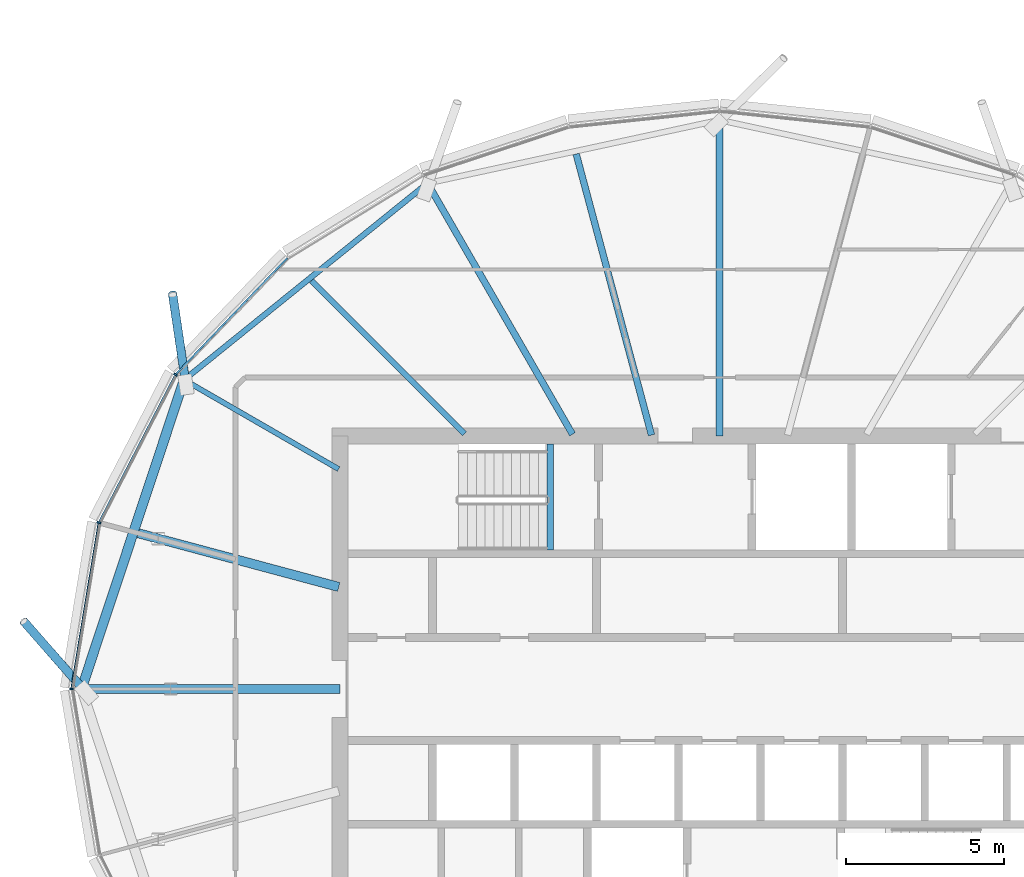
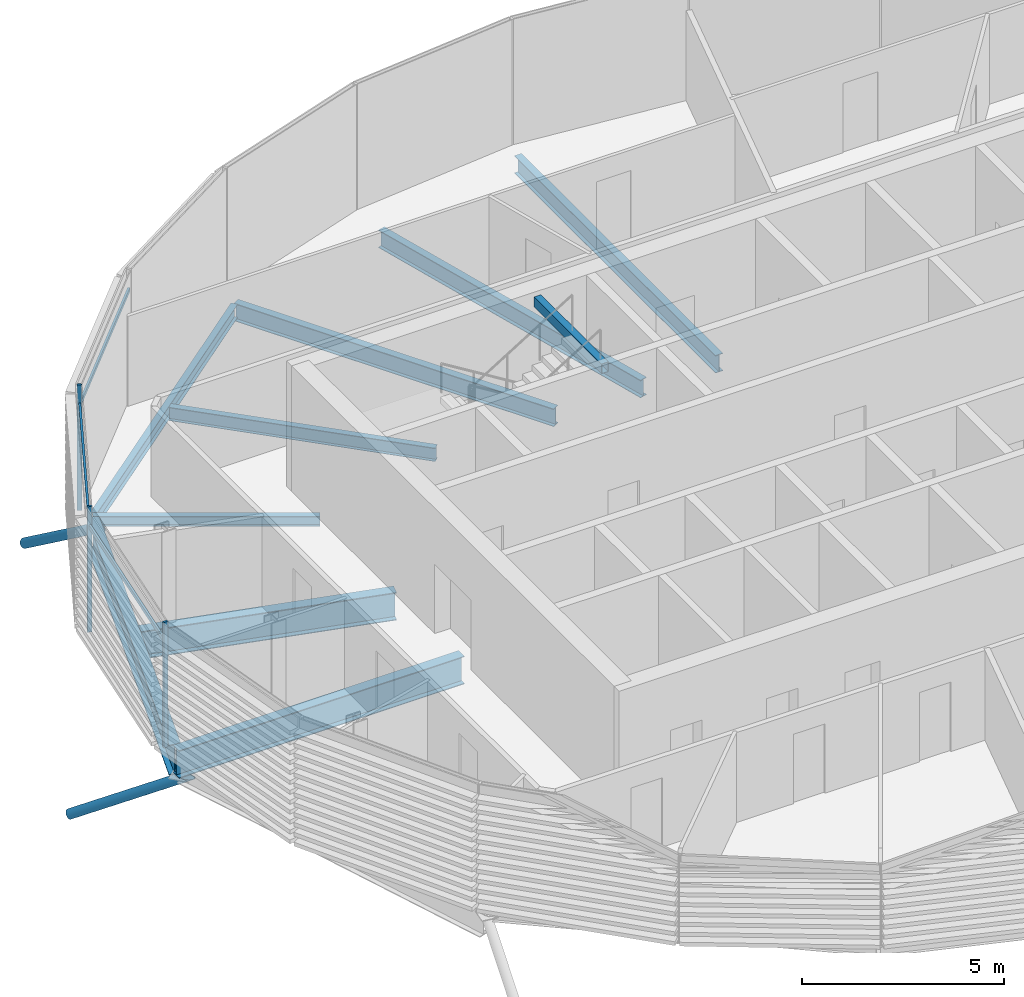
# One storey, part 5 of 33: 10 beams, 8 members, 1 element without a shape of its own.
"""IFC4 building model written with IfcOpenShell, lengths in metres."""

from ifc_helpers import new_model, si_unit, direction, frame, origin, origin_2d, place, context, subcontext, project, spatial, rectangle, hollow_rectangle, hollow_circle, i_section, extrude, clip, halfspace, material, material_profile, profile_set, type_object, element, aggregate, save


model = new_model("IFC4")

# Units and contexts
model_context = context("Model", 3, precision=1e-05, world=origin(), true_north=direction((0.0, 1.0)))
body_context = subcontext(model_context, "Body", "Model", "MODEL_VIEW")
ifc_project = project(units=[si_unit("LENGTHUNIT", "METRE"), si_unit("AREAUNIT", "SQUARE_METRE"), si_unit("VOLUMEUNIT", "CUBIC_METRE"), si_unit("PLANEANGLEUNIT", "RADIAN"), si_unit("MASSUNIT", "GRAM", prefix="KILO")], contexts=[model_context])

# Site, building, storey
site_placement = place(None, origin())
site = spatial("IfcSite", under=ifc_project, at=site_placement, CompositionType="ELEMENT")
building_placement = place(site_placement, origin())
building = spatial("IfcBuilding", under=site, at=building_placement, Name="Rimbun Link Towers", CompositionType="ELEMENT")
storey_placement = place(building_placement, frame((0.0, 0.0, 240.89990234375)))
storey = spatial("IfcBuildingStorey", under=building, at=storey_placement, Name="L59", CompositionType="ELEMENT", Elevation=240.89990234375)

# Curtain wall, members
ifc_material_1 = material(Name="Aluminium 6063-T6 and low-iron glass", Category="aluminium")
curtain_wall_type = type_object("IfcCurtainWallType", Name="CW1-Z4 unitised vision wall (zone 4)", PredefinedType="NOTDEFINED", material=ifc_material_1)
curtain_wall_placement = place(storey_placement, origin())
curtain_wall = element("IfcCurtainWall", 1, at=curtain_wall_placement, inside=storey, type_object=curtain_wall_type, Name="CW1 L59 T1", PredefinedType="NOTDEFINED")
ifc_material_2 = material(Name="Aluminium 6063-T6", Category="aluminium")
ifc_material_profile_1 = material_profile(ifc_material_2, rectangle(XDim=0.1201171875, YDim=0.06005859375, at=origin_2d()), Name="MULLION 60X120")
ifc_profile_set_1 = profile_set([ifc_material_profile_1], Name="Aluminium 6063-T6")
member_type_1 = type_object("IfcMemberType", Name="CW1 mullion 60X120", PredefinedType="MULLION", material=ifc_profile_set_1)
member_1_placement = place(storey_placement, frame((-48.950439453125, 9.9375, 0.0), z_axis=(0.0, 0.0, 1.0), x_axis=(-0.813347930398, 0.581777572717, 0.0)))
member_1 = element("IfcMember", 2, at=member_1_placement, type_object=member_type_1, Name="CW1 mullion", PredefinedType="MULLION", context=body_context, shape_type="SweptSolid", body=[
    extrude(rectangle(XDim=0.1201171875, YDim=0.06005859375, at=origin_2d()), origin(), (0.0, 0.0, 1.0), 3.800048828125),
])
member_2_placement = place(storey_placement, frame((-51.3701171875, 5.260986328125, 0.0), z_axis=(0.0, 0.0, 1.0), x_axis=(-0.949161339918, 0.314790010651, 0.0)))
member_2 = element("IfcMember", 3, at=member_2_placement, type_object=member_type_1, Name="CW1 mullion", PredefinedType="MULLION", context=body_context, shape_type="SweptSolid", body=[
    extrude(rectangle(XDim=0.1201171875, YDim=0.06005859375, at=origin_2d()), origin(), (0.0, 0.0, 1.0), 3.800048828125),
])
member_3_placement = place(storey_placement, frame((-52.235107421875, 0.0, 0.0), z_axis=(0.0, 0.0, 1.0), x_axis=(-1.0, 0.0, 0.0)))
member_3 = element("IfcMember", 4, at=member_3_placement, type_object=member_type_1, Name="CW1 mullion", PredefinedType="MULLION", context=body_context, shape_type="SweptSolid", body=[
    extrude(rectangle(XDim=0.1201171875, YDim=0.06005859375, at=origin_2d()), origin(), (0.0, 0.0, 1.0), 3.800048828125),
])
ifc_material_3 = material(Name="Aluminium 6063-T6", Category="aluminium")
ifc_material_profile_2 = material_profile(ifc_material_3, rectangle(XDim=0.06005859375, YDim=0.1201171875, at=origin_2d()), Name="TRANSOM 60X120")
ifc_profile_set_2 = profile_set([ifc_material_profile_2], Name="Aluminium 6063-T6")
member_type_2 = type_object("IfcMemberType", Name="CW1 transom 60X120", PredefinedType="USERDEFINED", material=ifc_profile_set_2)
member_4_placement = place(storey_placement, frame((-48.9228515625, 9.96435546875, 3.2001953125), z_axis=(0.692062314487, 0.721837760766, 0.0), x_axis=(-0.721837760766, 0.692062314487, 0.0)))
member_4 = element("IfcMember", 5, at=member_4_placement, type_object=member_type_2, Name="CW1 transom", ObjectType="TRANSOM", PredefinedType="USERDEFINED", context=body_context, shape_type="SweptSolid", body=[
    extrude(rectangle(XDim=0.06005859375, YDim=0.1201171875, at=origin_2d()), origin(), (0.0, 0.0, 1.0), 5.067138671875),
])
member_5_placement = place(storey_placement, frame((-51.350830078125, 5.29541015625, 3.2001953125), z_axis=(0.459539428675, 0.888157369779, 0.0), x_axis=(-0.888157369779, 0.459539428675, 0.0)))
member_5 = element("IfcMember", 6, at=member_5_placement, type_object=member_type_2, Name="CW1 transom", ObjectType="TRANSOM", PredefinedType="USERDEFINED", context=body_context, shape_type="SweptSolid", body=[
    extrude(rectangle(XDim=0.06005859375, YDim=0.1201171875, at=origin_2d()), origin(), (0.0, 0.0, 1.0), 5.187255859375),
])
member_6_placement = place(storey_placement, frame((-52.2275390625, 0.0390625, 3.2001953125), z_axis=(0.162265497576, 0.986747134932, 0.0), x_axis=(-0.986747134932, 0.162265497576, 0.0)))
member_6 = element("IfcMember", 7, at=member_6_placement, type_object=member_type_2, Name="CW1 transom", ObjectType="TRANSOM", PredefinedType="USERDEFINED", context=body_context, shape_type="SweptSolid", body=[
    extrude(rectangle(XDim=0.06005859375, YDim=0.1201171875, at=origin_2d()), origin(), (0.0, 0.0, 1.0), 5.25244140625),
])
aggregate(curtain_wall, [member_1, member_2, member_3, member_4, member_5, member_6])

# Members
ifc_material_4 = material(Name="Steel S355J2H", Category="steel")
ifc_material_profile_3 = material_profile(ifc_material_4, hollow_circle(Radius=0.136474609375, WallThickness=0.012451171875, at=origin_2d()), Name="CHS 273x12.5")
ifc_profile_set_3 = profile_set([ifc_material_profile_3], Name="Steel S355J2H")
member_type_3 = type_object("IfcMemberType", Name="Floor edge link CHS 273x12.5", PredefinedType="BRACE", material=ifc_profile_set_3)
member_7_placement = place(storey_placement, frame((-48.635498046875, 9.748779296875, -0.5546875), z_axis=(-0.11964266926, 0.806997322098, -0.578308701144), x_axis=(-0.989187906656, -0.146653623638, 0.0)))
element("IfcMember", 8, at=member_7_placement, inside=storey, type_object=member_type_3, Name="Floor edge link T1 L59 10", PredefinedType="BRACE", context=body_context, shape_type="Clipping", body=[
    clip(extrude(hollow_circle(Radius=0.136474609375, WallThickness=0.012451171875, at=origin_2d()), frame((0.0, 0.0, -0.40234375)), (0.0, 0.0, 1.0), 3.812255859375), halfspace(frame((0.0, 0.0, -0.189208984375), z_axis=(0.0, 0.815818022712, -0.578308701144)), False)),
])
member_8_placement = place(storey_placement, frame((-51.871826171875, 0.0, -1.09765625), z_axis=(-0.565191499157, 0.645157586135, -0.514130584903), x_axis=(-0.752184468184, -0.658952597554, 0.0)))
element("IfcMember", 9, at=member_8_placement, inside=storey, type_object=member_type_3, Name="Floor edge link T1 L59 12", PredefinedType="BRACE", context=body_context, shape_type="Clipping", body=[
    clip(extrude(hollow_circle(Radius=0.136474609375, WallThickness=0.012451171875, at=origin_2d()), frame((0.0, 0.0, -0.474853515625)), (0.0, 0.0, 1.0), 3.802734375), halfspace(frame((0.0, 0.0, -0.223876953125), z_axis=(0.0, 0.857711922307, -0.514130584903)), False)),
])

# Beams
ifc_material_5 = material(Name="Steel S355J2", Category="steel")
ifc_material_profile_4 = material_profile(ifc_material_5, hollow_rectangle(XDim=0.199951171875, YDim=0.300048828125, WallThickness=0.011962890625, at=origin_2d()), Name="BOX 300x200x12")
ifc_profile_set_4 = profile_set([ifc_material_profile_4], Name="Steel S355J2")
beam_type_1 = type_object("IfcBeamType", Name="Stair trimmer beam BOX 300x200x12", PredefinedType="BEAM", material=ifc_profile_set_4)
beam_1_placement = place(storey_placement, frame((-37.10009765625, 7.75, 3.510009765625), z_axis=(0.0, -1.0, 0.0), x_axis=(1.0, 0.0, 0.0)))
element("IfcBeam", 10, at=beam_1_placement, inside=storey, type_object=beam_type_1, Name="L59 ST1 stair beam 1", PredefinedType="BEAM", context=body_context, shape_type="SweptSolid", body=[
    extrude(hollow_rectangle(XDim=0.199951171875, YDim=0.300048828125, WallThickness=0.011962890625, at=origin_2d()), origin(), (0.0, 0.0, 1.0), 3.35009765625),
])
ifc_material_6 = material(Name="Steel S355J2", Category="steel")
ifc_material_profile_5 = material_profile(ifc_material_6, i_section(OverallWidth=0.1650390625, OverallDepth=0.303466796875, WebThickness=0.006103515625, FlangeThickness=0.01025390625, at=origin_2d()), Name="UB 305x165x40")
ifc_profile_set_5 = profile_set([ifc_material_profile_5], Name="Steel S355J2")
beam_type_2 = type_object("IfcBeamType", Name="UB 305x165x40", PredefinedType="BEAM", material=ifc_profile_set_5)
beam_2_placement = place(storey_placement, frame((-43.7919921875, 6.952392578125, -0.29150390625), z_axis=(-0.866029956157, 0.499992114976, 0.0), x_axis=(-0.499992114976, -0.866029956157, 0.0)))
element("IfcBeam", 11, at=beam_2_placement, inside=storey, type_object=beam_type_2, Name="Radial beam T1 L59 10", PredefinedType="BEAM", context=body_context, shape_type="SweptSolid", body=[
    extrude(i_section(OverallWidth=0.1650390625, OverallDepth=0.303466796875, WebThickness=0.006103515625, FlangeThickness=0.01025390625, at=origin_2d()), origin(), (0.0, 0.0, 1.0), 5.642578125),
])
ifc_material_7 = material(Name="Steel S355J2", Category="steel")
ifc_material_profile_6 = material_profile(ifc_material_7, i_section(OverallWidth=0.177978515625, OverallDepth=0.406494140625, WebThickness=0.0078125, FlangeThickness=0.0126953125, at=origin_2d()), Name="UB 406x178x60")
ifc_profile_set_6 = profile_set([ifc_material_profile_6], Name="Steel S355J2")
beam_type_3 = type_object("IfcBeamType", Name="UB 406x178x60", PredefinedType="BEAM", material=ifc_profile_set_6)
beam_3_placement = place(storey_placement, frame((-39.813720703125, 8.063720703125, -0.343017578125), z_axis=(-0.707106781187, 0.707106781187, 0.0), x_axis=(-0.707106781187, -0.707106781187, 0.0)))
element("IfcBeam", 12, at=beam_3_placement, inside=storey, type_object=beam_type_3, Name="Radial beam T1 L59 09", PredefinedType="BEAM", context=body_context, shape_type="SweptSolid", body=[
    extrude(i_section(OverallWidth=0.177978515625, OverallDepth=0.406494140625, WebThickness=0.0078125, FlangeThickness=0.0126953125, at=origin_2d()), origin(), (0.0, 0.0, 1.0), 6.84814453125),
])
beam_4_placement = place(storey_placement, frame((-41.064208984375, 15.92138671875, -0.343017578125), z_axis=(-0.778075590963, -0.628170657343, 0.0), x_axis=(0.628170657343, -0.778075590963, 0.0)))
element("IfcBeam", 13, at=beam_4_placement, inside=storey, type_object=beam_type_3, Name="Edge beam T1 L59 08-10", PredefinedType="BEAM", context=body_context, shape_type="SweptSolid", body=[
    extrude(i_section(OverallWidth=0.177978515625, OverallDepth=0.406494140625, WebThickness=0.0078125, FlangeThickness=0.0126953125, at=origin_2d()), origin(), (0.0, 0.0, 1.0), 9.697021484375),
])
ifc_material_8 = material(Name="Steel S355J2", Category="steel")
ifc_material_profile_7 = material_profile(ifc_material_8, i_section(OverallWidth=0.209228515625, OverallDepth=0.533203125, WebThickness=0.010009765625, FlangeThickness=0.015625, at=origin_2d()), Name="UB 533x210x92")
ifc_profile_set_7 = profile_set([ifc_material_profile_7], Name="Steel S355J2")
beam_type_4 = type_object("IfcBeamType", Name="UB 533x210x92", PredefinedType="BEAM", material=ifc_profile_set_7)
beam_5_placement = place(storey_placement, frame((-31.75, 8.0009765625, -0.406494140625), z_axis=(0.0, 1.0, 0.0), x_axis=(-1.0, 0.0, 0.0)))
element("IfcBeam", 14, at=beam_5_placement, inside=storey, type_object=beam_type_4, Name="Radial beam T1 L59 06", PredefinedType="BEAM", context=body_context, shape_type="SweptSolid", body=[
    extrude(i_section(OverallWidth=0.209228515625, OverallDepth=0.533203125, WebThickness=0.010009765625, FlangeThickness=0.015625, at=origin_2d()), origin(), (0.0, 0.0, 1.0), 9.984375),
])
beam_6_placement = place(storey_placement, frame((-33.901123046875, 8.028076171875, -0.406494140625), z_axis=(-0.2588320469, 0.965922342374, 0.0), x_axis=(-0.965922342374, -0.2588320469, 0.0)))
element("IfcBeam", 15, at=beam_6_placement, inside=storey, type_object=beam_type_4, Name="Radial beam T1 L59 07", PredefinedType="BEAM", context=body_context, shape_type="SweptSolid", body=[
    extrude(i_section(OverallWidth=0.209228515625, OverallDepth=0.533203125, WebThickness=0.010009765625, FlangeThickness=0.015625, at=origin_2d()), origin(), (0.0, 0.0, 1.0), 9.198486328125),
])
beam_7_placement = place(storey_placement, frame((-36.3994140625, 8.05322265625, -0.406494140625), z_axis=(-0.500016122821, 0.866016095069, 0.0), x_axis=(-0.866016095069, -0.500016122821, 0.0)))
element("IfcBeam", 16, at=beam_7_placement, inside=storey, type_object=beam_type_4, Name="Radial beam T1 L59 08", PredefinedType="BEAM", context=body_context, shape_type="SweptSolid", body=[
    extrude(i_section(OverallWidth=0.209228515625, OverallDepth=0.533203125, WebThickness=0.010009765625, FlangeThickness=0.015625, at=origin_2d()), origin(), (0.0, 0.0, 1.0), 9.163330078125),
])
ifc_material_9 = material(Name="Steel S355J2", Category="steel")
ifc_material_profile_8 = material_profile(ifc_material_9, i_section(OverallWidth=0.29248046875, OverallDepth=0.8408203125, WebThickness=0.0126953125, FlangeThickness=0.021728515625, at=origin_2d()), Name="UB 838x292x194")
ifc_profile_set_8 = profile_set([ifc_material_profile_8], Name="Steel S355J2")
beam_type_5 = type_object("IfcBeamType", Name="UB 838x292x194", PredefinedType="BEAM", material=ifc_profile_set_8)
beam_8_placement = place(storey_placement, frame((-43.788818359375, 3.225830078125, -0.560302734375), z_axis=(-0.965929781148, 0.258804284917, 0.0), x_axis=(-0.258804284917, -0.965929781148, 0.0)))
element("IfcBeam", 17, at=beam_8_placement, inside=storey, type_object=beam_type_5, Name="Radial beam T1 L59 11", PredefinedType="BEAM", context=body_context, shape_type="SweptSolid", body=[
    extrude(i_section(OverallWidth=0.29248046875, OverallDepth=0.8408203125, WebThickness=0.0126953125, FlangeThickness=0.021728515625, at=origin_2d()), origin(), (0.0, 0.0, 1.0), 6.56103515625),
])
beam_9_placement = place(storey_placement, frame((-43.7509765625, 0.0, -0.560302734375), z_axis=(-1.0, 0.0, 0.0), x_axis=(0.0, -1.0, 0.0)))
element("IfcBeam", 18, at=beam_9_placement, inside=storey, type_object=beam_type_5, Name="Radial beam T1 L59 12", PredefinedType="BEAM", context=body_context, shape_type="SweptSolid", body=[
    extrude(i_section(OverallWidth=0.29248046875, OverallDepth=0.8408203125, WebThickness=0.0126953125, FlangeThickness=0.021728515625, at=origin_2d()), origin(), (0.0, 0.0, 1.0), 8.1708984375),
])
ifc_material_10 = material(Name="Steel S355J2", Category="steel")
ifc_material_profile_9 = material_profile(ifc_material_10, i_section(OverallWidth=0.305419921875, OverallDepth=0.91845703125, WebThickness=0.017333984375, FlangeThickness=0.02783203125, at=origin_2d()), Name="UB 914x305x253")
ifc_profile_set_9 = profile_set([ifc_material_profile_9], Name="Steel S355J2")
beam_type_6 = type_object("IfcBeamType", Name="UB 914x305x253", PredefinedType="BEAM", material=ifc_profile_set_9)
beam_10_placement = place(storey_placement, frame((-48.70556640625, 9.693115234375, -0.59912109375), z_axis=(-0.314931237743, -0.949114490193, 0.0), x_axis=(0.949114490193, -0.314931237743, 0.0)))
element("IfcBeam", 19, at=beam_10_placement, inside=storey, type_object=beam_type_6, Name="Edge beam T1 L59 10-12", PredefinedType="BEAM", context=body_context, shape_type="SweptSolid", body=[
    extrude(i_section(OverallWidth=0.305419921875, OverallDepth=0.91845703125, WebThickness=0.017333984375, FlangeThickness=0.02783203125, at=origin_2d()), origin(), (0.0, 0.0, 1.0), 10.0576171875),
])

save(model, "model.ifc")
